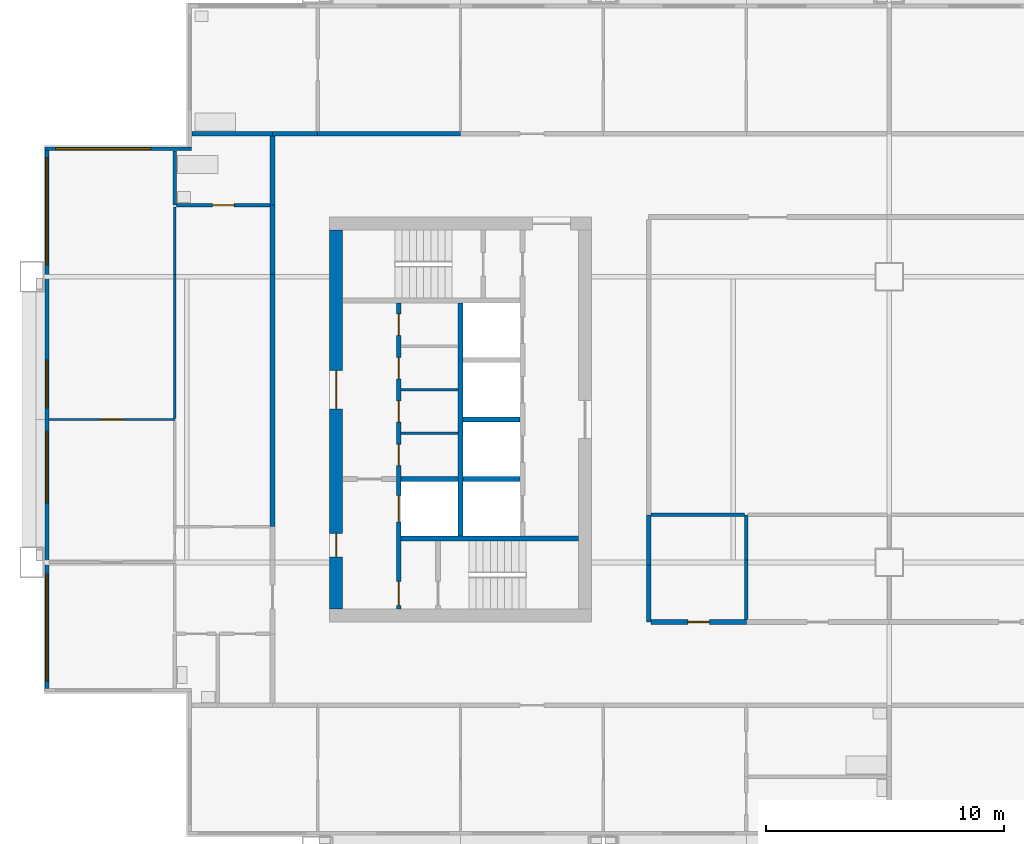
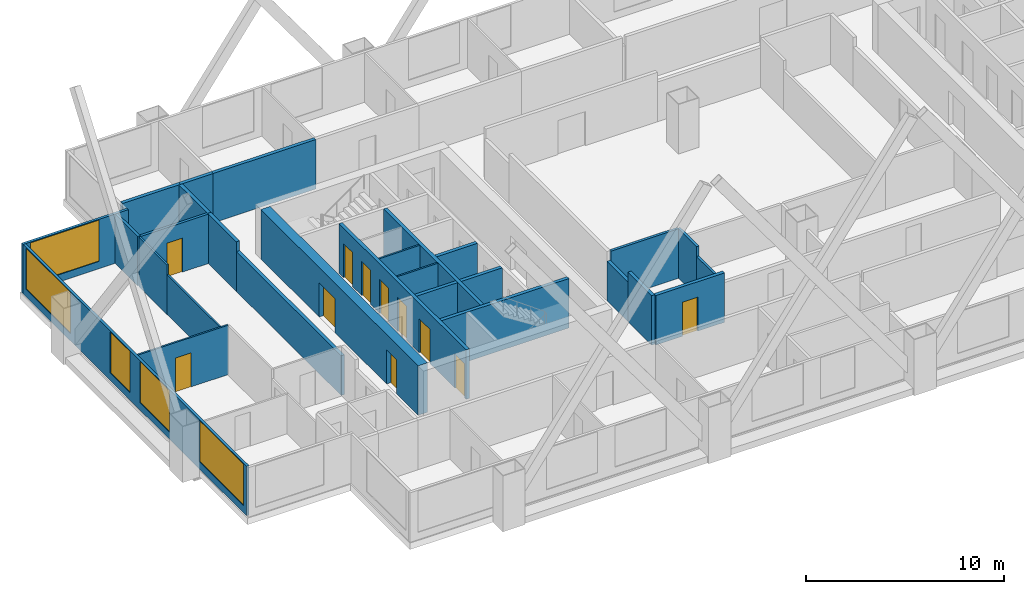
# One storey, part 3 of 8: 28 walls, 11 doors, 5 windows, 16 openings.
"""IFC4 building model written with IfcOpenShell, lengths in metres."""

from ifc_helpers import new_model, si_unit, direction, frame, frame_2d, origin, place, context, subcontext, project, spatial, rectangle, extrude, material, layer, layer_set, type_object, element, fill, save


model = new_model("IFC4")

# Units and contexts
model_context = context("Model", 3, precision=1e-05, world=origin(), true_north=direction((0.0, 1.0)))
body_context = subcontext(model_context, "Body", "Model", "MODEL_VIEW")
ifc_project = project(units=[si_unit("LENGTHUNIT", "METRE"), si_unit("AREAUNIT", "SQUARE_METRE"), si_unit("VOLUMEUNIT", "CUBIC_METRE"), si_unit("PLANEANGLEUNIT", "RADIAN"), si_unit("MASSUNIT", "GRAM", prefix="KILO")], contexts=[model_context])

# Site, building, storey
site_placement = place(None, origin())
site = spatial("IfcSite", under=ifc_project, at=site_placement, CompositionType="ELEMENT")
building_placement = place(site_placement, origin())
building = spatial("IfcBuilding", under=site, at=building_placement, Name="Kitamizu Gate Tower and Museum", CompositionType="ELEMENT")
storey_placement = place(building_placement, frame((0.0, 0.0, 158.25)))
storey = spatial("IfcBuildingStorey", under=building, at=storey_placement, Name="L41", CompositionType="ELEMENT", Elevation=158.25)

# Wall, openings, doors
ifc_material_1 = material(Name="Concrete Fc42", Category="concrete")
ifc_layer_1 = layer(ifc_material_1, 0.550048828125)
ifc_layer_set_1 = layer_set([ifc_layer_1], Name="Concrete Fc42")
wall_type_1 = type_object("IfcWallType", Name="Core wall 550", PredefinedType="SHEAR", material=ifc_layer_set_1)
wall_1_placement = place(storey_placement, frame((12.77490234375, 22.050048828125, 0.0), z_axis=(0.0, 0.0, 1.0), x_axis=(0.0, 1.0, 0.0)))
wall_1 = element("IfcWall", 1, at=wall_1_placement, inside=storey, type_object=wall_type_1, Name="Core wall WOUT", PredefinedType="SHEAR", context=body_context, shape_type="SweptSolid", body=[
    extrude(rectangle(XDim=15.89990234375, YDim=0.550048828125, at=frame_2d((7.949951171875, 0.0))), origin(), (0.0, 0.0, 1.0), 3.050048828125),
])
opening_1_placement = place(wall_1_placement, frame((8.39990234375, 0.0, 0.0)))
opening_1 = element("IfcOpeningElement", 2, at=opening_1_placement, cuts=wall_1, Name="Opening L41-032", PredefinedType="OPENING", context=body_context, shape_type="SweptSolid", body=[
    extrude(rectangle(XDim=1.60009765625, YDim=2.10009765625, at=frame_2d((0.800048828125, 1.050048828125))), frame((0.0, 0.28515625, 0.0), z_axis=(0.0, -1.0, 0.0), x_axis=(1.0, 0.0, 0.0)), (0.0, 0.0, 1.0), 0.570068359375),
])
opening_2_placement = place(wall_1_placement, frame((2.175048828125, 0.0, 0.0)))
opening_2 = element("IfcOpeningElement", 3, at=opening_2_placement, cuts=wall_1, Name="Opening L41-033", PredefinedType="OPENING", context=body_context, shape_type="SweptSolid", body=[
    extrude(rectangle(XDim=1.0, YDim=2.10009765625, at=frame_2d((0.5, 1.050048828125))), frame((0.0, 0.28515625, 0.0), z_axis=(0.0, -1.0, 0.0), x_axis=(1.0, 0.0, 0.0)), (0.0, 0.0, 1.0), 0.570068359375),
])
ifc_material_2 = material(Name="Timber door set", Category="wood")
door_type_1 = type_object("IfcDoorType", Name="Entrance door 1600", OperationType="DOUBLE_DOOR_SINGLE_SWING", PredefinedType="DOOR", material=ifc_material_2)
door_1_placement = place(opening_1_placement, origin())
door_1 = element("IfcDoor", 4, at=door_1_placement, inside=storey, type_object=door_type_1, Name="Lobby door L41-032", OperationType="DOUBLE_DOOR_SINGLE_SWING", OverallHeight=2.10009765625, OverallWidth=1.60009765625, PredefinedType="DOOR", context=body_context, shape_type="SweptSolid", body=[
    extrude(rectangle(XDim=1.60009765625, YDim=2.10009765625, at=frame_2d((0.800048828125, 1.050048828125))), frame((0.0, 0.02490234375, 0.0), z_axis=(0.0, -1.0, 0.0), x_axis=(1.0, 0.0, 0.0)), (0.0, 0.0, 1.0), 0.050048828125),
])
fill(opening_1, door_1)
ifc_material_3 = material(Name="Hollow metal door set")
door_type_2 = type_object("IfcDoorType", Name="Fire door 1000", OperationType="NOTDEFINED", PredefinedType="DOOR", material=ifc_material_3)
door_2_placement = place(opening_2_placement, frame((1.0, 0.0, 0.0), x_axis=(-1.0, 0.0, 0.0)))
door_2 = element("IfcDoor", 5, at=door_2_placement, inside=storey, type_object=door_type_2, Name="Fire-fighting lobby door L41-033", OperationType="SINGLE_SWING_LEFT", OverallHeight=2.10009765625, OverallWidth=1.0, PredefinedType="DOOR", context=body_context, shape_type="SweptSolid", body=[
    extrude(rectangle(XDim=1.0, YDim=2.10009765625, at=frame_2d((0.5, 1.050048828125))), frame((0.0, 0.02490234375, 0.0), z_axis=(0.0, -1.0, 0.0), x_axis=(1.0, 0.0, 0.0)), (0.0, 0.0, 1.0), 0.050048828125),
])
fill(opening_2, door_2)

# Walls
ifc_material_4 = material(Name="Gypsum board on galvanised stud")
ifc_layer_2 = layer(ifc_material_4, 0.10009765625)
ifc_layer_set_2 = layer_set([ifc_layer_2], Name="Gypsum board on galvanised stud")
wall_type_2 = type_object("IfcWallType", Name="Partition 100", PredefinedType="PARTITIONING", material=ifc_layer_set_2)
for number, where, z_axis, x_axis, name in (
    (6, (15.5, 29.425048828125, 0.0), (0.0, 0.0, 1.0), (1.0, 0.0, 0.0), "Partition WPF1"),
    (7, (15.5, 31.25, 0.0), (0.0, 0.0, 1.0), (1.0, 0.0, 0.0), "Partition WPF2"),
):
    element("IfcWall", number, at=place(storey_placement, frame(where, z_axis=z_axis, x_axis=x_axis)), inside=storey, type_object=wall_type_2, Name=name, PredefinedType="PARTITIONING", context=body_context, shape_type="SweptSolid", body=[
        extrude(rectangle(XDim=2.39990234375, YDim=0.10009765625, at=frame_2d((1.199951171875, 0.0))), origin(), (0.0, 0.0, 1.0), 3.050048828125),
    ])

# Wall, opening, door
ifc_material_5 = material(Name="Gypsum board on galvanised stud")
ifc_layer_3 = layer(ifc_material_5, 0.10009765625)
ifc_layer_set_3 = layer_set([ifc_layer_3], Name="Gypsum board on galvanised stud")
wall_type_3 = type_object("IfcWallType", Name="Partition 100 NOT RATED", PredefinedType="PARTITIONING", material=ifc_layer_set_3)
wall_2_placement = place(storey_placement, frame((6.0, 30.0, 0.0), z_axis=(0.0, 0.0, 1.0), x_axis=(-1.0, 0.0, 0.0)))
wall_2 = element("IfcWall", 8, at=wall_2_placement, inside=storey, type_object=wall_type_3, Name="Partition L41-030", PredefinedType="PARTITIONING", context=body_context, shape_type="SweptSolid", body=[
    extrude(rectangle(XDim=5.280029296875, YDim=0.10009765625, at=frame_2d((2.64013671875, 0.0))), origin(), (0.0, 0.0, 1.0), 3.050048828125),
])
opening_3_placement = place(wall_2_placement, frame((2.18994140625, 0.0, 0.0)))
opening_3 = element("IfcOpeningElement", 9, at=opening_3_placement, cuts=wall_2, Name="Opening L41-015", PredefinedType="OPENING", context=body_context, shape_type="SweptSolid", body=[
    extrude(rectangle(XDim=0.89990234375, YDim=2.10009765625, at=frame_2d((0.449951171875, 1.050048828125))), frame((0.0, 0.06005859375, 0.0), z_axis=(0.0, -1.0, 0.0), x_axis=(1.0, 0.0, 0.0)), (0.0, 0.0, 1.0), 0.1201171875),
])
ifc_material_6 = material(Name="Timber door set", Category="wood")
door_type_3 = type_object("IfcDoorType", Name="Room door 900", OperationType="NOTDEFINED", PredefinedType="DOOR", material=ifc_material_6)
door_3_placement = place(opening_3_placement, origin())
door_3 = element("IfcDoor", 10, at=door_3_placement, inside=storey, type_object=door_type_3, Name="Door L41-015", OperationType="SINGLE_SWING_RIGHT", OverallHeight=2.10009765625, OverallWidth=0.89990234375, PredefinedType="DOOR", context=body_context, shape_type="SweptSolid", body=[
    extrude(rectangle(XDim=0.89990234375, YDim=2.10009765625, at=frame_2d((0.449951171875, 1.050048828125))), frame((0.0, 0.02490234375, 0.0), z_axis=(0.0, -1.0, 0.0), x_axis=(1.0, 0.0, 0.0)), (0.0, 0.0, 1.0), 0.050048828125),
])
fill(opening_3, door_3)

# Walls
wall_3_placement = place(storey_placement, frame((6.0, 30.050048828125, 0.0), z_axis=(0.0, 0.0, 1.0), x_axis=(0.0, 1.0, 0.0)))
element("IfcWall", 11, at=wall_3_placement, inside=storey, type_object=wall_type_3, Name="Partition L41-033", PredefinedType="PARTITIONING", context=body_context, shape_type="SweptSolid", body=[
    extrude(rectangle(XDim=6.050048828125, YDim=0.10009765625, at=frame_2d((3.02490234375, 0.0))), origin(), (0.0, 0.0, 1.0), 2.449951171875),
])
wall_4_placement = place(storey_placement, frame((6.0, 36.10009765625, 0.0), z_axis=(0.0, 0.0, 1.0), x_axis=(0.0, 1.0, 0.0)))
element("IfcWall", 12, at=wall_4_placement, inside=storey, type_object=wall_type_3, Name="Partition L41-034", PredefinedType="PARTITIONING", context=body_context, shape_type="SweptSolid", body=[
    extrude(rectangle(XDim=2.824951171875, YDim=0.10009765625, at=frame_2d((1.41259765625, 0.0))), origin(), (0.0, 0.0, 1.0), 3.050048828125),
])
ifc_material_7 = material(Name="Gypsum board on galvanised stud")
ifc_layer_4 = layer(ifc_material_7, 0.14990234375)
ifc_layer_set_4 = layer_set([ifc_layer_4], Name="Gypsum board on galvanised stud")
wall_type_4 = type_object("IfcWallType", Name="Partition 150", PredefinedType="PARTITIONING", material=ifc_layer_set_4)
wall_5_placement = place(storey_placement, frame((6.0, 39.0, 0.0), z_axis=(0.0, 0.0, 1.0), x_axis=(0.0, 1.0, 0.0)))
element("IfcWall", 13, at=wall_5_placement, inside=storey, type_object=wall_type_4, Name="Partition L41-035", PredefinedType="PARTITIONING", context=body_context, shape_type="SweptSolid", body=[
    extrude(rectangle(XDim=2.280029296875, YDim=0.14990234375, at=frame_2d((1.14013671875, 0.0))), origin(), (0.0, 0.0, 1.0), 3.050048828125),
])

# Wall, opening, door
wall_6_placement = place(storey_placement, frame((10.0, 39.0, 0.0), z_axis=(0.0, 0.0, 1.0), x_axis=(-1.0, 0.0, 0.0)))
wall_6 = element("IfcWall", 14, at=wall_6_placement, inside=storey, type_object=wall_type_4, Name="Partition L41-043", PredefinedType="PARTITIONING", context=body_context, shape_type="SweptSolid", body=[
    extrude(rectangle(XDim=3.925048828125, YDim=0.14990234375, at=frame_2d((1.96240234375, 0.0))), origin(), (0.0, 0.0, 1.0), 3.050048828125),
])
opening_4_placement = place(wall_6_placement, frame((1.512451171875, 0.0, 0.0)))
opening_4 = element("IfcOpeningElement", 15, at=opening_4_placement, cuts=wall_6, Name="Opening L41-019", PredefinedType="OPENING", context=body_context, shape_type="SweptSolid", body=[
    extrude(rectangle(XDim=0.89990234375, YDim=2.10009765625, at=frame_2d((0.449951171875, 1.050048828125))), frame((0.0, 0.0849609375, 0.0), z_axis=(0.0, -1.0, 0.0), x_axis=(1.0, 0.0, 0.0)), (0.0, 0.0, 1.0), 0.169921875),
])
ifc_material_8 = material(Name="Timber door set", Category="wood")
door_type_4 = type_object("IfcDoorType", Name="Bathroom door 900", OperationType="NOTDEFINED", PredefinedType="DOOR", material=ifc_material_8)
door_4_placement = place(opening_4_placement, frame((0.89990234375, 0.0, 0.0), x_axis=(-1.0, 0.0, 0.0)))
door_4 = element("IfcDoor", 16, at=door_4_placement, inside=storey, type_object=door_type_4, Name="Bathroom door L41-019", OperationType="SINGLE_SWING_LEFT", OverallHeight=2.10009765625, OverallWidth=0.89990234375, PredefinedType="DOOR", context=body_context, shape_type="SweptSolid", body=[
    extrude(rectangle(XDim=0.89990234375, YDim=2.10009765625, at=frame_2d((0.449951171875, 1.050048828125))), frame((0.0, 0.02490234375, 0.0), z_axis=(0.0, -1.0, 0.0), x_axis=(1.0, 0.0, 0.0)), (0.0, 0.0, 1.0), 0.050048828125),
])
fill(opening_4, door_4)

# Walls
wall_7_placement = place(storey_placement, frame((30.0, 21.60009765625, 0.0), z_axis=(0.0, 0.0, 1.0), x_axis=(0.0, 1.0, 0.0)))
element("IfcWall", 17, at=wall_7_placement, inside=storey, type_object=wall_type_4, Name="Partition L41-063", PredefinedType="PARTITIONING", context=body_context, shape_type="SweptSolid", body=[
    extrude(rectangle(XDim=2.5, YDim=0.14990234375, at=frame_2d((1.25, 0.0))), origin(), (0.0, 0.0, 1.0), 2.449951171875),
])
wall_8_placement = place(storey_placement, frame((30.0, 24.10009765625, 0.0), z_axis=(0.0, 0.0, 1.0), x_axis=(0.0, 1.0, 0.0)))
element("IfcWall", 18, at=wall_8_placement, inside=storey, type_object=wall_type_4, Name="Partition L41-064", PredefinedType="PARTITIONING", context=body_context, shape_type="SweptSolid", body=[
    extrude(rectangle(XDim=1.89990234375, YDim=0.14990234375, at=frame_2d((0.949951171875, 0.0))), origin(), (0.0, 0.0, 1.0), 3.050048828125),
])
wall_9_placement = place(storey_placement, frame((29.925048828125, 26.0, 0.0), z_axis=(0.0, 0.0, 1.0), x_axis=(-1.0, 0.0, 0.0)))
element("IfcWall", 19, at=wall_9_placement, inside=storey, type_object=wall_type_4, Name="Partition L41-065", PredefinedType="PARTITIONING", context=body_context, shape_type="SweptSolid", body=[
    extrude(rectangle(XDim=3.925048828125, YDim=0.14990234375, at=frame_2d((1.96240234375, 0.0))), origin(), (0.0, 0.0, 1.0), 3.050048828125),
])
ifc_material_9 = material(Name="Gypsum board on galvanised stud")
ifc_layer_5 = layer(ifc_material_9, 0.199951171875)
ifc_layer_set_5 = layer_set([ifc_layer_5], Name="Gypsum board on galvanised stud")
wall_type_5 = type_object("IfcWallType", Name="Partition 200", PredefinedType="PARTITIONING", material=ifc_layer_set_5)
wall_10_placement = place(storey_placement, frame((6.719970703125, 42.0, 0.0), z_axis=(0.0, 0.0, 1.0), x_axis=(1.0, 0.0, 0.0)))
element("IfcWall", 20, at=wall_10_placement, inside=storey, type_object=wall_type_5, Name="Partition L41-017", PredefinedType="PARTITIONING", context=body_context, shape_type="SweptSolid", body=[
    extrude(rectangle(XDim=3.380126953125, YDim=0.199951171875, at=frame_2d((1.68994140625, 0.0))), origin(), (0.0, 0.0, 1.0), 3.050048828125),
])
wall_11_placement = place(storey_placement, frame((10.10009765625, 42.0, 0.0), z_axis=(0.0, 0.0, 1.0), x_axis=(1.0, 0.0, 0.0)))
element("IfcWall", 21, at=wall_11_placement, inside=storey, type_object=wall_type_5, Name="Partition L41-018", PredefinedType="PARTITIONING", context=body_context, shape_type="SweptSolid", body=[
    extrude(rectangle(XDim=1.89990234375, YDim=0.199951171875, at=frame_2d((0.949951171875, 0.0))), origin(), (0.0, 0.0, 1.0), 3.050048828125),
])
wall_12_placement = place(storey_placement, frame((12.0, 42.0, 0.0), z_axis=(0.0, 0.0, 1.0), x_axis=(1.0, 0.0, 0.0)))
element("IfcWall", 22, at=wall_12_placement, inside=storey, type_object=wall_type_5, Name="Partition L41-020", PredefinedType="PARTITIONING", context=body_context, shape_type="SweptSolid", body=[
    extrude(rectangle(XDim=6.0, YDim=0.199951171875, at=frame_2d((3.0, 0.0))), origin(), (0.0, 0.0, 1.0), 3.050048828125),
])
wall_13_placement = place(storey_placement, frame((10.10009765625, 25.5, 0.0), z_axis=(0.0, 0.0, 1.0), x_axis=(0.0, 1.0, 0.0)))
element("IfcWall", 23, at=wall_13_placement, inside=storey, type_object=wall_type_5, Name="Partition L41-044", PredefinedType="PARTITIONING", context=body_context, shape_type="SweptSolid", body=[
    extrude(rectangle(XDim=10.60009765625, YDim=0.199951171875, at=frame_2d((5.300048828125, 0.0))), origin(), (0.0, 0.0, 1.0), 2.449951171875),
])
for number, where, z_axis, x_axis, name in (
    (24, (10.10009765625, 36.10009765625, 0.0), (0.0, 0.0, 1.0), (0.0, 1.0, 0.0), "Partition L41-045"),
    (25, (10.10009765625, 39.0, 0.0), (0.0, 0.0, 1.0), (0.0, 1.0, 0.0), "Partition L41-046"),
):
    element("IfcWall", number, at=place(storey_placement, frame(where, z_axis=z_axis, x_axis=x_axis)), inside=storey, type_object=wall_type_5, Name=name, PredefinedType="PARTITIONING", context=body_context, shape_type="SweptSolid", body=[
        extrude(rectangle(XDim=2.89990234375, YDim=0.199951171875, at=frame_2d((1.449951171875, 0.0))), origin(), (0.0, 0.0, 1.0), 3.050048828125),
    ])
wall_14_placement = place(storey_placement, frame((25.89990234375, 26.0, 0.0), z_axis=(0.0, 0.0, 1.0), x_axis=(0.0, -1.0, 0.0)))
element("IfcWall", 26, at=wall_14_placement, inside=storey, type_object=wall_type_5, Name="Partition L41-049", PredefinedType="PARTITIONING", context=body_context, shape_type="SweptSolid", body=[
    extrude(rectangle(XDim=2.10009765625, YDim=0.199951171875, at=frame_2d((1.050048828125, 0.0))), origin(), (0.0, 0.0, 1.0), 2.449951171875),
])
wall_15_placement = place(storey_placement, frame((25.89990234375, 23.89990234375, 0.0), z_axis=(0.0, 0.0, 1.0), x_axis=(0.0, -1.0, 0.0)))
element("IfcWall", 27, at=wall_15_placement, inside=storey, type_object=wall_type_5, Name="Partition L41-050", PredefinedType="PARTITIONING", context=body_context, shape_type="SweptSolid", body=[
    extrude(rectangle(XDim=2.39990234375, YDim=0.199951171875, at=frame_2d((1.199951171875, 0.0))), origin(), (0.0, 0.0, 1.0), 3.050048828125),
])

# Wall, opening, door
wall_16_placement = place(storey_placement, frame((26.0, 21.5, 0.0), z_axis=(0.0, 0.0, 1.0), x_axis=(1.0, 0.0, 0.0)))
wall_16 = element("IfcWall", 28, at=wall_16_placement, inside=storey, type_object=wall_type_5, Name="Partition L41-051", PredefinedType="PARTITIONING", context=body_context, shape_type="SweptSolid", body=[
    extrude(rectangle(XDim=4.0, YDim=0.199951171875, at=frame_2d((2.0, 0.0))), origin(), (0.0, 0.0, 1.0), 3.050048828125),
])
opening_5_placement = place(wall_16_placement, frame((1.550048828125, 0.0, 0.0)))
opening_5 = element("IfcOpeningElement", 29, at=opening_5_placement, cuts=wall_16, Name="Opening L41-022", PredefinedType="OPENING", context=body_context, shape_type="SweptSolid", body=[
    extrude(rectangle(XDim=0.89990234375, YDim=2.10009765625, at=frame_2d((0.449951171875, 1.050048828125))), frame((0.0, 0.10986328125, 0.0), z_axis=(0.0, -1.0, 0.0), x_axis=(1.0, 0.0, 0.0)), (0.0, 0.0, 1.0), 0.219970703125),
])
door_5_placement = place(opening_5_placement, origin())
door_5 = element("IfcDoor", 30, at=door_5_placement, inside=storey, type_object=door_type_3, Name="Door L41-022", OperationType="SINGLE_SWING_LEFT", OverallHeight=2.10009765625, OverallWidth=0.89990234375, PredefinedType="DOOR", context=body_context, shape_type="SweptSolid", body=[
    extrude(rectangle(XDim=0.89990234375, YDim=2.10009765625, at=frame_2d((0.449951171875, 1.050048828125))), frame((0.0, 0.02490234375, 0.0), z_axis=(0.0, -1.0, 0.0), x_axis=(1.0, 0.0, 0.0)), (0.0, 0.0, 1.0), 0.050048828125),
])
fill(opening_5, door_5)

# Wall, openings, doors
ifc_material_10 = material(Name="Concrete Fc42", Category="concrete")
ifc_layer_6 = layer(ifc_material_10, 0.199951171875)
ifc_layer_set_6 = layer_set([ifc_layer_6], Name="Concrete Fc42")
wall_type_6 = type_object("IfcWallType", Name="Shaft wall 200", PredefinedType="SOLIDWALL", material=ifc_layer_set_6)
wall_17_placement = place(storey_placement, frame((15.39990234375, 22.050048828125, 0.0), z_axis=(0.0, 0.0, 1.0), x_axis=(0.0, 1.0, 0.0)))
wall_17 = element("IfcWall", 31, at=wall_17_placement, inside=storey, type_object=wall_type_6, Name="Shaft wall WWEST", PredefinedType="SOLIDWALL", context=body_context, shape_type="SweptSolid", body=[
    extrude(rectangle(XDim=12.849853515625, YDim=0.199951171875, at=frame_2d((6.4248046875, 0.0))), origin(), (0.0, 0.0, 1.0), 3.050048828125),
])
opening_6_placement = place(wall_17_placement, frame((3.64990234375, 0.0, 0.0)))
opening_6 = element("IfcOpeningElement", 32, at=opening_6_placement, cuts=wall_17, Name="Opening LD", PredefinedType="OPENING", context=body_context, shape_type="SweptSolid", body=[
    extrude(rectangle(XDim=1.10009765625, YDim=2.10009765625, at=frame_2d((0.550048828125, 1.050048828125))), frame((0.0, 0.10986328125, 0.0), z_axis=(0.0, -1.0, 0.0), x_axis=(1.0, 0.0, 0.0)), (0.0, 0.0, 1.0), 0.219970703125),
])
opening_7_placement = place(wall_17_placement, frame((0.14990234375, 0.0, 0.0)))
opening_7 = element("IfcOpeningElement", 33, at=opening_7_placement, cuts=wall_17, Name="Opening L41-028", PredefinedType="OPENING", context=body_context, shape_type="SweptSolid", body=[
    extrude(rectangle(XDim=1.0, YDim=2.10009765625, at=frame_2d((0.5, 1.050048828125))), frame((0.0, 0.10986328125, 0.0), z_axis=(0.0, -1.0, 0.0), x_axis=(1.0, 0.0, 0.0)), (0.0, 0.0, 1.0), 0.219970703125),
])
opening_8_placement = place(wall_17_placement, frame((6.012451171875, 0.0, 0.0)))
opening_8 = element("IfcOpeningElement", 34, at=opening_8_placement, cuts=wall_17, Name="Opening L41-036", PredefinedType="OPENING", context=body_context, shape_type="SweptSolid", body=[
    extrude(rectangle(XDim=0.89990234375, YDim=2.10009765625, at=frame_2d((0.449951171875, 1.050048828125))), frame((0.0, 0.10986328125, 0.0), z_axis=(0.0, -1.0, 0.0), x_axis=(1.0, 0.0, 0.0)), (0.0, 0.0, 1.0), 0.219970703125),
])
opening_9_placement = place(wall_17_placement, frame((7.83740234375, 0.0, 0.0)))
opening_9 = element("IfcOpeningElement", 35, at=opening_9_placement, cuts=wall_17, Name="Opening L41-037", PredefinedType="OPENING", context=body_context, shape_type="SweptSolid", body=[
    extrude(rectangle(XDim=0.89990234375, YDim=2.10009765625, at=frame_2d((0.449951171875, 1.050048828125))), frame((0.0, 0.10986328125, 0.0), z_axis=(0.0, -1.0, 0.0), x_axis=(1.0, 0.0, 0.0)), (0.0, 0.0, 1.0), 0.219970703125),
])
opening_10_placement = place(wall_17_placement, frame((9.66259765625, 0.0, 0.0)))
opening_10 = element("IfcOpeningElement", 36, at=opening_10_placement, cuts=wall_17, Name="Opening L41-038", PredefinedType="OPENING", context=body_context, shape_type="SweptSolid", body=[
    extrude(rectangle(XDim=0.89990234375, YDim=2.10009765625, at=frame_2d((0.449951171875, 1.050048828125))), frame((0.0, 0.10986328125, 0.0), z_axis=(0.0, -1.0, 0.0), x_axis=(1.0, 0.0, 0.0)), (0.0, 0.0, 1.0), 0.219970703125),
])
opening_11_placement = place(wall_17_placement, frame((11.487548828125, 0.0, 0.0)))
opening_11 = element("IfcOpeningElement", 37, at=opening_11_placement, cuts=wall_17, Name="Opening L41-039", PredefinedType="OPENING", context=body_context, shape_type="SweptSolid", body=[
    extrude(rectangle(XDim=0.89990234375, YDim=2.10009765625, at=frame_2d((0.449951171875, 1.050048828125))), frame((0.0, 0.10986328125, 0.0), z_axis=(0.0, -1.0, 0.0), x_axis=(1.0, 0.0, 0.0)), (0.0, 0.0, 1.0), 0.219970703125),
])
door_6_placement = place(opening_7_placement, frame((1.0, 0.0, 0.0), x_axis=(-1.0, 0.0, 0.0)))
door_6 = element("IfcDoor", 38, at=door_6_placement, inside=storey, type_object=door_type_2, Name="Stair lobby door L41-028", OperationType="SINGLE_SWING_LEFT", OverallHeight=2.10009765625, OverallWidth=1.0, PredefinedType="DOOR", context=body_context, shape_type="SweptSolid", body=[
    extrude(rectangle(XDim=1.0, YDim=2.10009765625, at=frame_2d((0.5, 1.050048828125))), frame((0.0, 0.02490234375, 0.0), z_axis=(0.0, -1.0, 0.0), x_axis=(1.0, 0.0, 0.0)), (0.0, 0.0, 1.0), 0.050048828125),
])
fill(opening_7, door_6)
ifc_material_11 = material(Name="Hollow metal door set")
door_type_5 = type_object("IfcDoorType", Name="Landing door 1100", OperationType="SLIDING_TO_LEFT", PredefinedType="DOOR", material=ifc_material_11)
door_7_placement = place(opening_6_placement, origin())
door_7 = element("IfcDoor", 39, at=door_7_placement, inside=storey, type_object=door_type_5, Name="Landing door WFF1", OperationType="SLIDING_TO_LEFT", OverallHeight=2.10009765625, OverallWidth=1.10009765625, PredefinedType="DOOR", context=body_context, shape_type="SweptSolid", body=[
    extrude(rectangle(XDim=1.10009765625, YDim=2.10009765625, at=frame_2d((0.550048828125, 1.050048828125))), frame((0.0, 0.02490234375, 0.0), z_axis=(0.0, -1.0, 0.0), x_axis=(1.0, 0.0, 0.0)), (0.0, 0.0, 1.0), 0.050048828125),
])
fill(opening_6, door_7)
ifc_material_12 = material(Name="Timber door set", Category="wood")
door_type_6 = type_object("IfcDoorType", Name="Service door 900", OperationType="NOTDEFINED", PredefinedType="DOOR", material=ifc_material_12)
door_8_placement = place(opening_8_placement, frame((0.89990234375, 0.0, 0.0), x_axis=(-1.0, 0.0, 0.0)))
door_8 = element("IfcDoor", 40, at=door_8_placement, inside=storey, type_object=door_type_6, Name="Service door L41-036", OperationType="SINGLE_SWING_RIGHT", OverallHeight=2.10009765625, OverallWidth=0.89990234375, PredefinedType="DOOR", context=body_context, shape_type="SweptSolid", body=[
    extrude(rectangle(XDim=0.89990234375, YDim=2.10009765625, at=frame_2d((0.449951171875, 1.050048828125))), frame((0.0, 0.02490234375, 0.0), z_axis=(0.0, -1.0, 0.0), x_axis=(1.0, 0.0, 0.0)), (0.0, 0.0, 1.0), 0.050048828125),
])
fill(opening_8, door_8)
door_9_placement = place(opening_9_placement, frame((0.89990234375, 0.0, 0.0), x_axis=(-1.0, 0.0, 0.0)))
door_9 = element("IfcDoor", 41, at=door_9_placement, inside=storey, type_object=door_type_6, Name="Service door L41-037", OperationType="SINGLE_SWING_LEFT", OverallHeight=2.10009765625, OverallWidth=0.89990234375, PredefinedType="DOOR", context=body_context, shape_type="SweptSolid", body=[
    extrude(rectangle(XDim=0.89990234375, YDim=2.10009765625, at=frame_2d((0.449951171875, 1.050048828125))), frame((0.0, 0.02490234375, 0.0), z_axis=(0.0, -1.0, 0.0), x_axis=(1.0, 0.0, 0.0)), (0.0, 0.0, 1.0), 0.050048828125),
])
fill(opening_9, door_9)
door_10_placement = place(opening_10_placement, frame((0.89990234375, 0.0, 0.0), x_axis=(-1.0, 0.0, 0.0)))
door_10 = element("IfcDoor", 42, at=door_10_placement, inside=storey, type_object=door_type_6, Name="Service door L41-038", OperationType="SINGLE_SWING_RIGHT", OverallHeight=2.10009765625, OverallWidth=0.89990234375, PredefinedType="DOOR", context=body_context, shape_type="SweptSolid", body=[
    extrude(rectangle(XDim=0.89990234375, YDim=2.10009765625, at=frame_2d((0.449951171875, 1.050048828125))), frame((0.0, 0.02490234375, 0.0), z_axis=(0.0, -1.0, 0.0), x_axis=(1.0, 0.0, 0.0)), (0.0, 0.0, 1.0), 0.050048828125),
])
fill(opening_10, door_10)
door_11_placement = place(opening_11_placement, frame((0.89990234375, 0.0, 0.0), x_axis=(-1.0, 0.0, 0.0)))
door_11 = element("IfcDoor", 43, at=door_11_placement, inside=storey, type_object=door_type_6, Name="Service door L41-039", OperationType="SINGLE_SWING_LEFT", OverallHeight=2.10009765625, OverallWidth=0.89990234375, PredefinedType="DOOR", context=body_context, shape_type="SweptSolid", body=[
    extrude(rectangle(XDim=0.89990234375, YDim=2.10009765625, at=frame_2d((0.449951171875, 1.050048828125))), frame((0.0, 0.02490234375, 0.0), z_axis=(0.0, -1.0, 0.0), x_axis=(1.0, 0.0, 0.0)), (0.0, 0.0, 1.0), 0.050048828125),
])
fill(opening_11, door_11)

# Walls
wall_18_placement = place(storey_placement, frame((18.0, 25.10009765625, 0.0), z_axis=(0.0, 0.0, 1.0), x_axis=(0.0, 1.0, 0.0)))
element("IfcWall", 44, at=wall_18_placement, inside=storey, type_object=wall_type_6, Name="Shaft wall WMID", PredefinedType="SOLIDWALL", context=body_context, shape_type="SweptSolid", body=[
    extrude(rectangle(XDim=9.7998046875, YDim=0.199951171875, at=frame_2d((4.89990234375, 0.0))), origin(), (0.0, 0.0, 1.0), 3.050048828125),
])
wall_19_placement = place(storey_placement, frame((15.5, 25.0, 0.0), z_axis=(0.0, 0.0, 1.0), x_axis=(1.0, 0.0, 0.0)))
element("IfcWall", 45, at=wall_19_placement, inside=storey, type_object=wall_type_6, Name="Shaft wall WSB", PredefinedType="SOLIDWALL", context=body_context, shape_type="SweptSolid", body=[
    extrude(rectangle(XDim=7.449951171875, YDim=0.199951171875, at=frame_2d((3.72509765625, 0.0))), origin(), (0.0, 0.0, 1.0), 3.050048828125),
])
for number, where, z_axis, x_axis, name in (
    (46, (15.5, 27.5, 0.0), (0.0, 0.0, 1.0), (1.0, 0.0, 0.0), "Shaft wall WDVW0"),
    (47, (18.10009765625, 27.5, 0.0), (0.0, 0.0, 1.0), (1.0, 0.0, 0.0), "Shaft wall WDVE0"),
    (48, (18.10009765625, 30.0, 0.0), (0.0, 0.0, 1.0), (1.0, 0.0, 0.0), "Shaft wall WDVE1"),
):
    element("IfcWall", number, at=place(storey_placement, frame(where, z_axis=z_axis, x_axis=x_axis)), inside=storey, type_object=wall_type_6, Name=name, PredefinedType="SOLIDWALL", context=body_context, shape_type="SweptSolid", body=[
        extrude(rectangle(XDim=2.39990234375, YDim=0.199951171875, at=frame_2d((1.199951171875, 0.0))), origin(), (0.0, 0.0, 1.0), 3.050048828125),
    ])

# Wall, opening, window
ifc_material_13 = material(Name="Bronze anodised aluminium frame with insulated spandrel and tinted glass", Category="aluminium")
ifc_layer_7 = layer(ifc_material_13, 0.14990234375)
ifc_layer_set_7 = layer_set([ifc_layer_7], Name="Bronze anodised aluminium frame with insulated spandrel and tinted glass")
wall_type_7 = type_object("IfcWallType", Name="WINDOW WALL 150 BRONZE FRAME EI 30", PredefinedType="ELEMENTEDWALL", material=ifc_layer_set_7)
wall_20_placement = place(storey_placement, frame((0.56005859375, 41.364990234375, 0.0), z_axis=(0.0, 0.0, 1.0), x_axis=(1.0, 0.0, 0.0)))
wall_20 = element("IfcWall", 49, at=wall_20_placement, inside=storey, type_object=wall_type_7, Name="Window wall north L41", PredefinedType="ELEMENTEDWALL", context=body_context, shape_type="SweptSolid", body=[
    extrude(rectangle(XDim=6.14990234375, YDim=0.14990234375, at=frame_2d((3.074951171875, 0.0))), origin(), (0.0, 0.0, 1.0), 3.050048828125),
])
opening_12_placement = place(wall_20_placement, frame((0.43994140625, 0.0, 0.449951171875)))
opening_12 = element("IfcOpeningElement", 50, at=opening_12_placement, cuts=wall_20, Name="Opening W16", PredefinedType="OPENING", context=body_context, shape_type="SweptSolid", body=[
    extrude(rectangle(XDim=4.0, YDim=2.550048828125, at=frame_2d((2.0, 1.27490234375))), frame((0.0, 0.0849609375, 0.0), z_axis=(0.0, -1.0, 0.0), x_axis=(1.0, 0.0, 0.0)), (0.0, 0.0, 1.0), 0.169921875),
])
ifc_material_14 = material(Name="Bronze anodised aluminium frame, tinted triple glazing", Category="aluminium")
window_type_1 = type_object("IfcWindowType", Name="WINDOW 4000 x 2550 SILL 450", PartitioningType="SINGLE_PANEL", PredefinedType="WINDOW", material=ifc_material_14)
window_1_placement = place(opening_12_placement, origin())
window_1 = element("IfcWindow", 51, at=window_1_placement, inside=storey, type_object=window_type_1, Name="Window W16 L41", OverallHeight=2.550048828125, OverallWidth=4.0, PartitioningType="SINGLE_PANEL", PredefinedType="WINDOW", context=body_context, shape_type="SweptSolid", body=[
    extrude(rectangle(XDim=4.0, YDim=2.550048828125, at=frame_2d((2.0, 1.27490234375))), frame((0.0, 0.030029296875, 0.0), z_axis=(0.0, -1.0, 0.0), x_axis=(1.0, 0.0, 0.0)), (0.0, 0.0, 1.0), 0.06005859375),
])
fill(opening_12, window_1)

# Wall, openings, windows
wall_21_placement = place(storey_placement, frame((0.635009765625, 18.7099609375, 0.0), z_axis=(0.0, 0.0, 1.0), x_axis=(0.0, 1.0, 0.0)))
wall_21 = element("IfcWall", 52, at=wall_21_placement, inside=storey, type_object=wall_type_7, Name="Window wall west L41", PredefinedType="ELEMENTEDWALL", context=body_context, shape_type="SweptSolid", body=[
    extrude(rectangle(XDim=22.580078125, YDim=0.14990234375, at=frame_2d((11.2900390625, 0.0))), origin(), (0.0, 0.0, 1.0), 3.050048828125),
])
opening_13_placement = place(wall_21_placement, frame((0.2900390625, 0.0, 0.449951171875)))
opening_13 = element("IfcOpeningElement", 53, at=opening_13_placement, cuts=wall_21, Name="Opening W15", PredefinedType="OPENING", context=body_context, shape_type="SweptSolid", body=[
    extrude(rectangle(XDim=4.5, YDim=2.550048828125, at=frame_2d((2.25, 1.27490234375))), frame((0.0, 0.0849609375, 0.0), z_axis=(0.0, -1.0, 0.0), x_axis=(1.0, 0.0, 0.0)), (0.0, 0.0, 1.0), 0.169921875),
])
opening_14_placement = place(wall_21_placement, frame((7.7900390625, 0.0, 0.449951171875)))
opening_14 = element("IfcOpeningElement", 54, at=opening_14_placement, cuts=wall_21, Name="Opening W33", PredefinedType="OPENING", context=body_context, shape_type="SweptSolid", body=[
    extrude(rectangle(XDim=3.0, YDim=2.550048828125, at=frame_2d((1.5, 1.27490234375))), frame((0.0, 0.0849609375, 0.0), z_axis=(0.0, -1.0, 0.0), x_axis=(1.0, 0.0, 0.0)), (0.0, 0.0, 1.0), 0.169921875),
])
opening_15_placement = place(wall_21_placement, frame((11.7900390625, 0.0, 0.449951171875)))
opening_15 = element("IfcOpeningElement", 55, at=opening_15_placement, cuts=wall_21, Name="Opening W2", PredefinedType="OPENING", context=body_context, shape_type="SweptSolid", body=[
    extrude(rectangle(XDim=2.0, YDim=2.550048828125, at=frame_2d((1.0, 1.27490234375))), frame((0.0, 0.0849609375, 0.0), z_axis=(0.0, -1.0, 0.0), x_axis=(1.0, 0.0, 0.0)), (0.0, 0.0, 1.0), 0.169921875),
])
opening_16_placement = place(wall_21_placement, frame((17.7900390625, 0.0, 0.449951171875)))
opening_16 = element("IfcOpeningElement", 56, at=opening_16_placement, cuts=wall_21, Name="Opening W15", PredefinedType="OPENING", context=body_context, shape_type="SweptSolid", body=[
    extrude(rectangle(XDim=4.5, YDim=2.550048828125, at=frame_2d((2.25, 1.27490234375))), frame((0.0, 0.0849609375, 0.0), z_axis=(0.0, -1.0, 0.0), x_axis=(1.0, 0.0, 0.0)), (0.0, 0.0, 1.0), 0.169921875),
])
ifc_material_15 = material(Name="Bronze anodised aluminium frame, tinted triple glazing", Category="aluminium")
window_type_2 = type_object("IfcWindowType", Name="WINDOW 2000 x 2550 SILL 450", PartitioningType="SINGLE_PANEL", PredefinedType="WINDOW", material=ifc_material_15)
window_2_placement = place(opening_15_placement, origin())
window_2 = element("IfcWindow", 57, at=window_2_placement, inside=storey, type_object=window_type_2, Name="Window W2 L41", OverallHeight=2.550048828125, OverallWidth=2.0, PartitioningType="SINGLE_PANEL", PredefinedType="WINDOW", context=body_context, shape_type="SweptSolid", body=[
    extrude(rectangle(XDim=2.0, YDim=2.550048828125, at=frame_2d((1.0, 1.27490234375))), frame((0.0, 0.030029296875, 0.0), z_axis=(0.0, -1.0, 0.0), x_axis=(1.0, 0.0, 0.0)), (0.0, 0.0, 1.0), 0.06005859375),
])
fill(opening_15, window_2)
ifc_material_16 = material(Name="Bronze anodised aluminium frame, tinted triple glazing", Category="aluminium")
window_type_3 = type_object("IfcWindowType", Name="WINDOW 3000 x 2550 SILL 450", PartitioningType="SINGLE_PANEL", PredefinedType="WINDOW", material=ifc_material_16)
window_3_placement = place(opening_14_placement, origin())
window_3 = element("IfcWindow", 58, at=window_3_placement, inside=storey, type_object=window_type_3, Name="Window W33 L41", OverallHeight=2.550048828125, OverallWidth=3.0, PartitioningType="SINGLE_PANEL", PredefinedType="WINDOW", context=body_context, shape_type="SweptSolid", body=[
    extrude(rectangle(XDim=3.0, YDim=2.550048828125, at=frame_2d((1.5, 1.27490234375))), frame((0.0, 0.030029296875, 0.0), z_axis=(0.0, -1.0, 0.0), x_axis=(1.0, 0.0, 0.0)), (0.0, 0.0, 1.0), 0.06005859375),
])
fill(opening_14, window_3)
ifc_material_17 = material(Name="Bronze anodised aluminium frame, tinted triple glazing", Category="aluminium")
window_type_4 = type_object("IfcWindowType", Name="WINDOW 4500 x 2550 SILL 450", PartitioningType="SINGLE_PANEL", PredefinedType="WINDOW", material=ifc_material_17)
window_4_placement = place(opening_13_placement, origin())
window_4 = element("IfcWindow", 59, at=window_4_placement, inside=storey, type_object=window_type_4, Name="Window W15 L41", OverallHeight=2.550048828125, OverallWidth=4.5, PartitioningType="SINGLE_PANEL", PredefinedType="WINDOW", context=body_context, shape_type="SweptSolid", body=[
    extrude(rectangle(XDim=4.5, YDim=2.550048828125, at=frame_2d((2.25, 1.27490234375))), frame((0.0, 0.030029296875, 0.0), z_axis=(0.0, -1.0, 0.0), x_axis=(1.0, 0.0, 0.0)), (0.0, 0.0, 1.0), 0.06005859375),
])
fill(opening_13, window_4)
window_5_placement = place(opening_16_placement, origin())
window_5 = element("IfcWindow", 60, at=window_5_placement, inside=storey, type_object=window_type_4, Name="Window W15 L41", OverallHeight=2.550048828125, OverallWidth=4.5, PartitioningType="SINGLE_PANEL", PredefinedType="WINDOW", context=body_context, shape_type="SweptSolid", body=[
    extrude(rectangle(XDim=4.5, YDim=2.550048828125, at=frame_2d((2.25, 1.27490234375))), frame((0.0, 0.030029296875, 0.0), z_axis=(0.0, -1.0, 0.0), x_axis=(1.0, 0.0, 0.0)), (0.0, 0.0, 1.0), 0.06005859375),
])
fill(opening_16, window_5)

save(model, "model.ifc")
